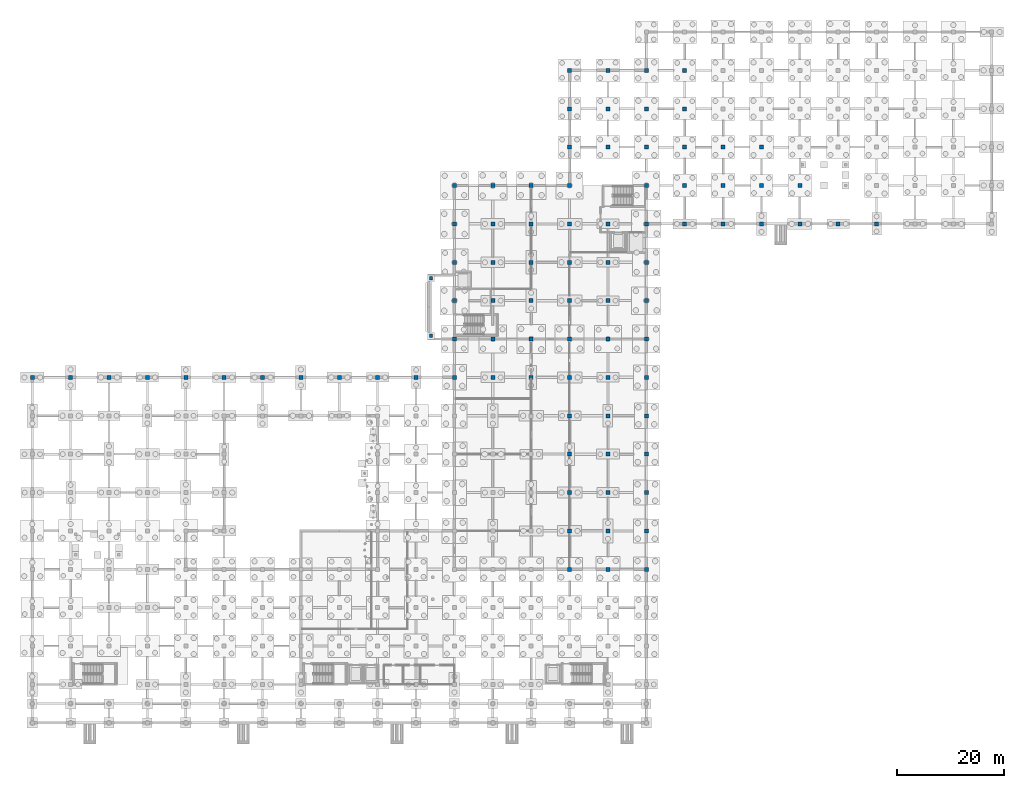
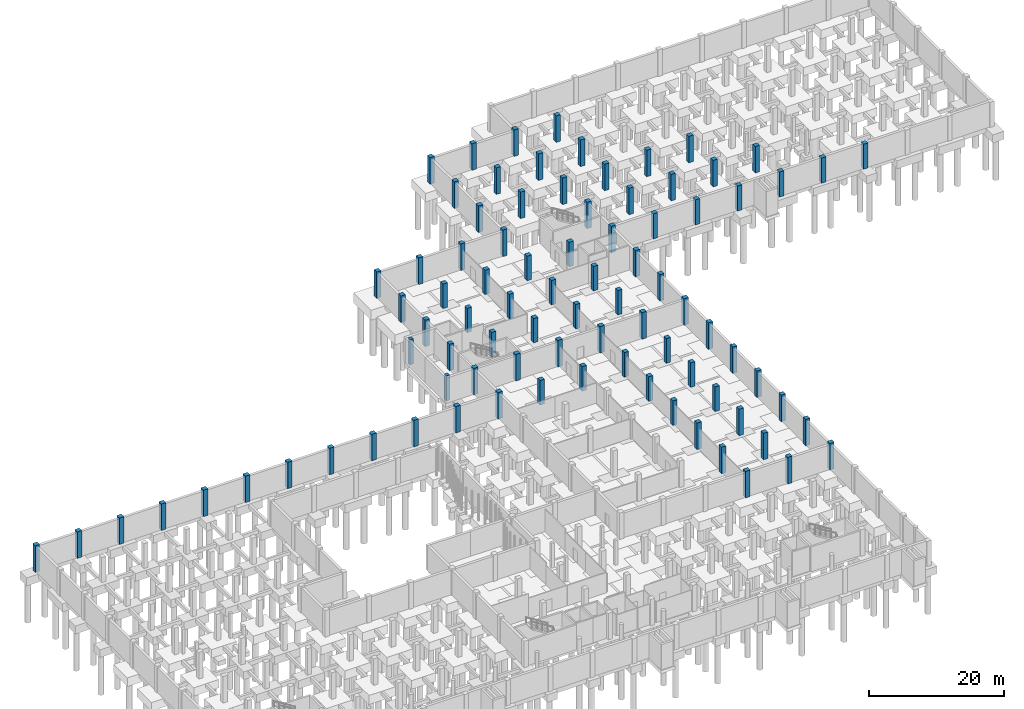
# One storey, part 21 of 35: 87 columns.
"""IFC4 building model written with IfcOpenShell, lengths in metres."""

from ifc_helpers import new_model, si_unit, direction, frame, origin, origin_2d, place, context, subcontext, project, spatial, rectangle, extrude, material, material_profile, profile_set, type_object, element, save


model = new_model("IFC4")

# Units and contexts
model_context = context("Model", 3, precision=1e-05, world=origin(), true_north=direction((0.0, 1.0)))
body_context = subcontext(model_context, "Body", "Model", "MODEL_VIEW")
ifc_project = project(units=[si_unit("LENGTHUNIT", "METRE"), si_unit("AREAUNIT", "SQUARE_METRE"), si_unit("VOLUMEUNIT", "CUBIC_METRE"), si_unit("PLANEANGLEUNIT", "RADIAN"), si_unit("MASSUNIT", "GRAM", prefix="KILO"), si_unit("THERMODYNAMICTEMPERATUREUNIT", "KELVIN"), si_unit("POWERUNIT", "WATT")], contexts=[model_context])

# Site, building, storey
site_placement = place(None, origin())
site = spatial("IfcSite", under=ifc_project, at=site_placement, CompositionType="ELEMENT")
building_placement = place(site_placement, origin())
building = spatial("IfcBuilding", under=site, at=building_placement, Name="Kaldorven Railside Theatre", CompositionType="ELEMENT")
storey_placement = place(building_placement, frame((0.0, 0.0, -4.800048828125)))
storey = spatial("IfcBuildingStorey", under=building, at=storey_placement, Name="B1", CompositionType="ELEMENT", Elevation=-4.800048828125)

# Columns
ifc_material = material(Name="Concrete C40/50", Category="concrete")
ifc_material_profile_1 = material_profile(ifc_material, rectangle(XDim=0.60009765625, YDim=0.60009765625, at=origin_2d()), Name="RC 600x600")
ifc_profile_set_1 = profile_set([ifc_material_profile_1], Name="Concrete C40/50")
column_type_1 = type_object("IfcColumnType", Name="COL-RC600", PredefinedType="COLUMN", material=ifc_profile_set_1)
for number, where, z_axis, x_axis, name in (
    (1, (82.800048828125, 84.60009765625, 0.0), (0.0, 0.0, 1.0), (1.0, 0.0, 0.0), "West Stage Apron Pedestal CWS-01"),
    (2, (82.800048828125, 95.39990234375, 0.0), (0.0, 0.0, 1.0), (1.0, 0.0, 0.0), "West Stage Apron Pedestal CWS-02"),
):
    element("IfcColumn", number, at=place(storey_placement, frame(where, z_axis=z_axis, x_axis=x_axis)), inside=storey, type_object=column_type_1, Name=name, PredefinedType="COLUMN", context=body_context, shape_type="SweptSolid", body=[
        extrude(rectangle(XDim=0.60009765625, YDim=0.60009765625, at=origin_2d()), origin(), (0.0, 0.0, 1.0), 4.550048828125),
    ])
ifc_material_profile_2 = material_profile(ifc_material, rectangle(XDim=0.75, YDim=0.75, at=origin_2d()), Name="RC 750x750")
ifc_profile_set_2 = profile_set([ifc_material_profile_2], Name="Concrete C40/50")
column_type_2 = type_object("IfcColumnType", Name="COL-RC750", PredefinedType="COLUMN", material=ifc_profile_set_2)
for number, where, z_axis, x_axis, name in (
    (3, (108.800048828125, 40.800048828125, 0.0), (0.0, 0.0, 1.0), (0.0, 1.0, 0.0), "B1 Column CG-B1-108-040"),
    (4, (116.0, 40.800048828125, 0.0), (0.0, 0.0, 1.0), (1.0, 0.0, 0.0), "B1 Column CG-B1-116-040"),
    (5, (123.199951171875, 40.800048828125, 0.0), (0.0, 0.0, 1.0), (1.0, 0.0, 0.0), "B1 Column CG-B1-123-040"),
    (6, (108.800048828125, 48.0, 0.0), (0.0, 0.0, 1.0), (1.0, 0.0, 0.0), "B1 Column CG-B1-108-048"),
    (7, (116.0, 48.0, 0.0), (0.0, 0.0, 1.0), (1.0, 0.0, 0.0), "B1 Column CG-B1-116-048"),
    (8, (123.199951171875, 48.0, 0.0), (0.0, 0.0, 1.0), (0.0, 1.0, 0.0), "B1 Column CG-B1-123-048"),
    (9, (108.800048828125, 55.199951171875, 0.0), (0.0, 0.0, 1.0), (1.0, 0.0, 0.0), "B1 Column CG-B1-108-055"),
    (10, (116.0, 55.199951171875, 0.0), (0.0, 0.0, 1.0), (0.0, 1.0, 0.0), "B1 Column CG-B1-116-055"),
    (11, (123.199951171875, 55.199951171875, 0.0), (0.0, 0.0, 1.0), (1.0, 0.0, 0.0), "B1 Column CG-B1-123-055"),
):
    element("IfcColumn", number, at=place(storey_placement, frame(where, z_axis=z_axis, x_axis=x_axis)), inside=storey, type_object=column_type_2, Name=name, PredefinedType="COLUMN", context=body_context, shape_type="SweptSolid", body=[
        extrude(rectangle(XDim=0.75, YDim=0.75, at=origin_2d()), origin(), (0.0, 0.0, 1.0), 4.800048828125),
    ])
for number, where, z_axis, x_axis, name in (
    (12, (108.800048828125, 62.39990234375, 0.0), (0.0, 0.0, 1.0), (0.0, 1.0, 0.0), "B1 Column CG-B1-108-062"),
    (13, (116.0, 62.39990234375, 0.0), (0.0, 0.0, 1.0), (1.0, 0.0, 0.0), "B1 Column CG-B1-116-062"),
):
    element("IfcColumn", number, at=place(storey_placement, frame(where, z_axis=z_axis, x_axis=x_axis)), inside=storey, type_object=column_type_2, Name=name, PredefinedType="COLUMN", context=body_context, shape_type="SweptSolid", body=[
        extrude(rectangle(XDim=0.75, YDim=0.75, at=origin_2d()), origin(), (0.0, 0.0, 1.0), 4.449951171875),
    ])
column_1_placement = place(storey_placement, frame((123.199951171875, 62.39990234375, 0.0), z_axis=(0.0, 0.0, 1.0), x_axis=(0.0, 1.0, 0.0)))
element("IfcColumn", 14, at=column_1_placement, inside=storey, type_object=column_type_2, Name="B1 Column CG-B1-123-062", PredefinedType="COLUMN", context=body_context, shape_type="SweptSolid", body=[
    extrude(rectangle(XDim=0.75, YDim=0.75, at=origin_2d()), origin(), (0.0, 0.0, 1.0), 4.800048828125),
])
for number, where, z_axis, x_axis, name in (
    (15, (108.800048828125, 69.60009765625, 0.0), (0.0, 0.0, 1.0), (1.0, 0.0, 0.0), "B1 Column CG-B1-108-069"),
    (16, (116.0, 69.60009765625, 0.0), (0.0, 0.0, 1.0), (0.0, 1.0, 0.0), "B1 Column CG-B1-116-069"),
):
    element("IfcColumn", number, at=place(storey_placement, frame(where, z_axis=z_axis, x_axis=x_axis)), inside=storey, type_object=column_type_2, Name=name, PredefinedType="COLUMN", context=body_context, shape_type="SweptSolid", body=[
        extrude(rectangle(XDim=0.75, YDim=0.75, at=origin_2d()), origin(), (0.0, 0.0, 1.0), 4.449951171875),
    ])
for number, where, z_axis, x_axis, name in (
    (17, (123.199951171875, 69.60009765625, 0.0), (0.0, 0.0, 1.0), (1.0, 0.0, 0.0), "B1 Column CG-B1-123-069"),
    (18, (8.0, 76.800048828125, 0.0), (0.0, 0.0, 1.0), (1.0, 0.0, 0.0), "B1 Column CG-B1-008-076"),
    (19, (15.199951171875, 76.800048828125, 0.0), (0.0, 0.0, 1.0), (1.0, 0.0, 0.0), "B1 Column CG-B1-015-076"),
    (20, (22.39990234375, 76.800048828125, 0.0), (0.0, 0.0, 1.0), (0.0, 1.0, 0.0), "B1 Column CG-B1-022-076"),
    (21, (29.60009765625, 76.800048828125, 0.0), (0.0, 0.0, 1.0), (1.0, 0.0, 0.0), "B1 Column CG-B1-029-076"),
    (22, (36.800048828125, 76.800048828125, 0.0), (0.0, 0.0, 1.0), (0.0, 1.0, 0.0), "B1 Column CG-B1-036-076"),
    (23, (44.0, 76.800048828125, 0.0), (0.0, 0.0, 1.0), (1.0, 0.0, 0.0), "B1 Column CG-B1-044-076"),
    (24, (51.199951171875, 76.800048828125, 0.0), (0.0, 0.0, 1.0), (1.0, 0.0, 0.0), "B1 Column CG-B1-051-076"),
    (25, (58.39990234375, 76.800048828125, 0.0), (0.0, 0.0, 1.0), (0.0, 1.0, 0.0), "B1 Column CG-B1-058-076"),
    (26, (65.60009765625, 76.800048828125, 0.0), (0.0, 0.0, 1.0), (1.0, 0.0, 0.0), "B1 Column CG-B1-065-076"),
    (27, (72.800048828125, 76.800048828125, 0.0), (0.0, 0.0, 1.0), (0.0, 1.0, 0.0), "B1 Column CG-B1-072-076"),
    (28, (80.0, 76.800048828125, 0.0), (0.0, 0.0, 1.0), (1.0, 0.0, 0.0), "B1 Column CG-B1-080-076"),
    (29, (87.199951171875, 76.800048828125, 0.0), (0.0, 0.0, 1.0), (1.0, 0.0, 0.0), "B1 Column CG-B1-087-076"),
):
    element("IfcColumn", number, at=place(storey_placement, frame(where, z_axis=z_axis, x_axis=x_axis)), inside=storey, type_object=column_type_2, Name=name, PredefinedType="COLUMN", context=body_context, shape_type="SweptSolid", body=[
        extrude(rectangle(XDim=0.75, YDim=0.75, at=origin_2d()), origin(), (0.0, 0.0, 1.0), 4.800048828125),
    ])
for number, where, z_axis, x_axis, name in (
    (30, (94.39990234375, 76.800048828125, 0.0), (0.0, 0.0, 1.0), (0.0, 1.0, 0.0), "B1 Column CG-B1-094-076"),
    (31, (101.60009765625, 76.800048828125, 0.0), (0.0, 0.0, 1.0), (1.0, 0.0, 0.0), "B1 Column CG-B1-101-076"),
    (32, (108.800048828125, 76.800048828125, 0.0), (0.0, 0.0, 1.0), (0.0, 1.0, 0.0), "B1 Column CG-B1-108-076"),
    (33, (116.0, 76.800048828125, 0.0), (0.0, 0.0, 1.0), (1.0, 0.0, 0.0), "B1 Column CG-B1-116-076"),
):
    element("IfcColumn", number, at=place(storey_placement, frame(where, z_axis=z_axis, x_axis=x_axis)), inside=storey, type_object=column_type_2, Name=name, PredefinedType="COLUMN", context=body_context, shape_type="SweptSolid", body=[
        extrude(rectangle(XDim=0.75, YDim=0.75, at=origin_2d()), origin(), (0.0, 0.0, 1.0), 4.449951171875),
    ])
for number, where, z_axis, x_axis, name in (
    (34, (123.199951171875, 76.800048828125, 0.0), (0.0, 0.0, 1.0), (1.0, 0.0, 0.0), "B1 Column CG-B1-123-076"),
    (35, (87.199951171875, 84.0, 0.0), (0.0, 0.0, 1.0), (0.0, 1.0, 0.0), "B1 Column CG-B1-087-084"),
    (36, (94.39990234375, 84.0, 0.0), (0.0, 0.0, 1.0), (1.0, 0.0, 0.0), "B1 Column CG-B1-094-084"),
    (37, (101.60009765625, 84.0, 0.0), (0.0, 0.0, 1.0), (0.0, 1.0, 0.0), "B1 Column CG-B1-101-084"),
    (38, (108.800048828125, 84.0, 0.0), (0.0, 0.0, 1.0), (1.0, 0.0, 0.0), "B1 Column CG-B1-108-084"),
    (39, (116.0, 84.0, 0.0), (0.0, 0.0, 1.0), (1.0, 0.0, 0.0), "B1 Column CG-B1-116-084"),
    (40, (123.199951171875, 84.0, 0.0), (0.0, 0.0, 1.0), (0.0, 1.0, 0.0), "B1 Column CG-B1-123-084"),
    (41, (87.199951171875, 91.199951171875, 0.0), (0.0, 0.0, 1.0), (1.0, 0.0, 0.0), "B1 Column CG-B1-087-091"),
):
    element("IfcColumn", number, at=place(storey_placement, frame(where, z_axis=z_axis, x_axis=x_axis)), inside=storey, type_object=column_type_2, Name=name, PredefinedType="COLUMN", context=body_context, shape_type="SweptSolid", body=[
        extrude(rectangle(XDim=0.75, YDim=0.75, at=origin_2d()), origin(), (0.0, 0.0, 1.0), 4.800048828125),
    ])
for number, where, z_axis, x_axis, name in (
    (42, (94.39990234375, 91.199951171875, 0.0), (0.0, 0.0, 1.0), (0.0, 1.0, 0.0), "B1 Column CG-B1-094-091"),
    (43, (101.60009765625, 91.199951171875, 0.0), (0.0, 0.0, 1.0), (1.0, 0.0, 0.0), "B1 Column CG-B1-101-091"),
    (44, (108.800048828125, 91.199951171875, 0.0), (0.0, 0.0, 1.0), (1.0, 0.0, 0.0), "B1 Column CG-B1-108-091"),
    (45, (116.0, 91.199951171875, 0.0), (0.0, 0.0, 1.0), (0.0, 1.0, 0.0), "B1 Column CG-B1-116-091"),
):
    element("IfcColumn", number, at=place(storey_placement, frame(where, z_axis=z_axis, x_axis=x_axis)), inside=storey, type_object=column_type_2, Name=name, PredefinedType="COLUMN", context=body_context, shape_type="SweptSolid", body=[
        extrude(rectangle(XDim=0.75, YDim=0.75, at=origin_2d()), origin(), (0.0, 0.0, 1.0), 4.420166015625),
    ])
for number, where, z_axis, x_axis, name in (
    (46, (123.199951171875, 91.199951171875, 0.0), (0.0, 0.0, 1.0), (1.0, 0.0, 0.0), "B1 Column CG-B1-123-091"),
    (47, (87.199951171875, 98.39990234375, 0.0), (0.0, 0.0, 1.0), (0.0, 1.0, 0.0), "B1 Column CG-B1-087-098"),
):
    element("IfcColumn", number, at=place(storey_placement, frame(where, z_axis=z_axis, x_axis=x_axis)), inside=storey, type_object=column_type_2, Name=name, PredefinedType="COLUMN", context=body_context, shape_type="SweptSolid", body=[
        extrude(rectangle(XDim=0.75, YDim=0.75, at=origin_2d()), origin(), (0.0, 0.0, 1.0), 4.800048828125),
    ])
for number, where, z_axis, x_axis, name in (
    (48, (94.39990234375, 98.39990234375, 0.0), (0.0, 0.0, 1.0), (1.0, 0.0, 0.0), "B1 Column CG-B1-094-098"),
    (49, (101.60009765625, 98.39990234375, 0.0), (0.0, 0.0, 1.0), (1.0, 0.0, 0.0), "B1 Column CG-B1-101-098"),
    (50, (108.800048828125, 98.39990234375, 0.0), (0.0, 0.0, 1.0), (0.0, 1.0, 0.0), "B1 Column CG-B1-108-098"),
    (51, (116.0, 98.39990234375, 0.0), (0.0, 0.0, 1.0), (1.0, 0.0, 0.0), "B1 Column CG-B1-116-098"),
):
    element("IfcColumn", number, at=place(storey_placement, frame(where, z_axis=z_axis, x_axis=x_axis)), inside=storey, type_object=column_type_2, Name=name, PredefinedType="COLUMN", context=body_context, shape_type="SweptSolid", body=[
        extrude(rectangle(XDim=0.75, YDim=0.75, at=origin_2d()), origin(), (0.0, 0.0, 1.0), 4.420166015625),
    ])
for number, where, z_axis, x_axis, name in (
    (52, (123.199951171875, 98.39990234375, 0.0), (0.0, 0.0, 1.0), (0.0, 1.0, 0.0), "B1 Column CG-B1-123-098"),
    (53, (87.199951171875, 105.60009765625, 0.0), (0.0, 0.0, 1.0), (1.0, 0.0, 0.0), "B1 Column CG-B1-087-105"),
):
    element("IfcColumn", number, at=place(storey_placement, frame(where, z_axis=z_axis, x_axis=x_axis)), inside=storey, type_object=column_type_2, Name=name, PredefinedType="COLUMN", context=body_context, shape_type="SweptSolid", body=[
        extrude(rectangle(XDim=0.75, YDim=0.75, at=origin_2d()), origin(), (0.0, 0.0, 1.0), 4.800048828125),
    ])
for number, where, z_axis, x_axis, name in (
    (54, (94.39990234375, 105.60009765625, 0.0), (0.0, 0.0, 1.0), (1.0, 0.0, 0.0), "B1 Column CG-B1-094-105"),
    (55, (101.60009765625, 105.60009765625, 0.0), (0.0, 0.0, 1.0), (0.0, 1.0, 0.0), "B1 Column CG-B1-101-105"),
    (56, (108.800048828125, 105.60009765625, 0.0), (0.0, 0.0, 1.0), (1.0, 0.0, 0.0), "B1 Column CG-B1-108-105"),
    (57, (116.0, 105.60009765625, 0.0), (0.0, 0.0, 1.0), (0.0, 1.0, 0.0), "B1 Column CG-B1-116-105"),
):
    element("IfcColumn", number, at=place(storey_placement, frame(where, z_axis=z_axis, x_axis=x_axis)), inside=storey, type_object=column_type_2, Name=name, PredefinedType="COLUMN", context=body_context, shape_type="SweptSolid", body=[
        extrude(rectangle(XDim=0.75, YDim=0.75, at=origin_2d()), origin(), (0.0, 0.0, 1.0), 4.420166015625),
    ])
column_2_placement = place(storey_placement, frame((123.199951171875, 105.60009765625, 0.0), z_axis=(0.0, 0.0, 1.0), x_axis=(1.0, 0.0, 0.0)))
element("IfcColumn", 58, at=column_2_placement, inside=storey, type_object=column_type_2, Name="B1 Column CG-B1-123-105", PredefinedType="COLUMN", context=body_context, shape_type="SweptSolid", body=[
    extrude(rectangle(XDim=0.75, YDim=0.75, at=origin_2d()), origin(), (0.0, 0.0, 1.0), 4.800048828125),
])
for number, where, z_axis, x_axis, name in (
    (59, (130.39990234375, 105.60009765625, 0.0), (0.0, 0.0, 1.0), (1.0, 0.0, 0.0), "B1 Column CG-B1-130-105"),
    (60, (137.60009765625, 105.60009765625, 0.0), (0.0, 0.0, 1.0), (0.0, 1.0, 0.0), "B1 Column CG-B1-137-105"),
    (61, (144.800048828125, 105.60009765625, 0.0), (0.0, 0.0, 1.0), (1.0, 0.0, 0.0), "B1 Column CG-B1-144-105"),
    (62, (152.0, 105.60009765625, 0.0), (0.0, 0.0, 1.0), (0.0, 1.0, 0.0), "B1 Column CG-B1-152-105"),
    (63, (159.199951171875, 105.60009765625, 0.0), (0.0, 0.0, 1.0), (1.0, 0.0, 0.0), "B1 Column CG-B1-159-105"),
    (64, (166.39990234375, 105.60009765625, 0.0), (0.0, 0.0, 1.0), (1.0, 0.0, 0.0), "B1 Column CG-B1-166-105"),
):
    element("IfcColumn", number, at=place(storey_placement, frame(where, z_axis=z_axis, x_axis=x_axis)), inside=storey, type_object=column_type_2, Name=name, PredefinedType="COLUMN", context=body_context, shape_type="SweptSolid", body=[
        extrude(rectangle(XDim=0.75, YDim=0.75, at=origin_2d()), origin(), (0.0, 0.0, 1.0), 4.550048828125),
    ])
for number, where, z_axis, x_axis, name in (
    (65, (87.199951171875, 112.800048828125, 0.0), (0.0, 0.0, 1.0), (1.0, 0.0, 0.0), "B1 Column CG-B1-087-112"),
    (66, (94.39990234375, 112.800048828125, 0.0), (0.0, 0.0, 1.0), (0.0, 1.0, 0.0), "B1 Column CG-B1-094-112"),
    (67, (101.60009765625, 112.800048828125, 0.0), (0.0, 0.0, 1.0), (1.0, 0.0, 0.0), "B1 Column CG-B1-101-112"),
    (68, (108.800048828125, 112.800048828125, 0.0), (0.0, 0.0, 1.0), (0.0, 1.0, 0.0), "B1 Column CG-B1-108-112"),
    (69, (123.199951171875, 112.800048828125, 0.0), (0.0, 0.0, 1.0), (1.0, 0.0, 0.0), "B1 Column CG-B1-123-112"),
    (70, (130.39990234375, 112.800048828125, 0.0), (0.0, 0.0, 1.0), (0.0, 1.0, 0.0), "B1 Column CG-B1-130-112"),
    (71, (137.60009765625, 112.800048828125, 0.0), (0.0, 0.0, 1.0), (1.0, 0.0, 0.0), "B1 Column CG-B1-137-112"),
    (72, (144.800048828125, 112.800048828125, 0.0), (0.0, 0.0, 1.0), (0.0, 1.0, 0.0), "B1 Column CG-B1-144-112"),
    (73, (152.0, 112.800048828125, 0.0), (0.0, 0.0, 1.0), (1.0, 0.0, 0.0), "B1 Column CG-B1-152-112"),
    (74, (108.800048828125, 120.0, 0.0), (0.0, 0.0, 1.0), (1.0, 0.0, 0.0), "B1 Column CG-B1-108-120"),
    (75, (116.0, 120.0, 0.0), (0.0, 0.0, 1.0), (1.0, 0.0, 0.0), "B1 Column CG-B1-116-120"),
    (76, (123.199951171875, 120.0, 0.0), (0.0, 0.0, 1.0), (0.0, 1.0, 0.0), "B1 Column CG-B1-123-120"),
    (77, (130.39990234375, 120.0, 0.0), (0.0, 0.0, 1.0), (1.0, 0.0, 0.0), "B1 Column CG-B1-130-120"),
    (78, (137.60009765625, 120.0, 0.0), (0.0, 0.0, 1.0), (0.0, 1.0, 0.0), "B1 Column CG-B1-137-120"),
    (79, (144.800048828125, 120.0, 0.0), (0.0, 0.0, 1.0), (1.0, 0.0, 0.0), "B1 Column CG-B1-144-120"),
    (80, (108.800048828125, 127.199951171875, 0.0), (0.0, 0.0, 1.0), (1.0, 0.0, 0.0), "B1 Column CG-B1-108-127"),
    (81, (116.0, 127.199951171875, 0.0), (0.0, 0.0, 1.0), (0.0, 1.0, 0.0), "B1 Column CG-B1-116-127"),
    (82, (123.199951171875, 127.199951171875, 0.0), (0.0, 0.0, 1.0), (1.0, 0.0, 0.0), "B1 Column CG-B1-123-127"),
    (83, (130.39990234375, 127.199951171875, 0.0), (0.0, 0.0, 1.0), (0.0, 1.0, 0.0), "B1 Column CG-B1-130-127"),
    (84, (108.800048828125, 134.39990234375, 0.0), (0.0, 0.0, 1.0), (0.0, 1.0, 0.0), "B1 Column CG-B1-108-134"),
    (85, (116.0, 134.39990234375, 0.0), (0.0, 0.0, 1.0), (1.0, 0.0, 0.0), "B1 Column CG-B1-116-134"),
    (86, (123.199951171875, 134.39990234375, 0.0), (0.0, 0.0, 1.0), (0.0, 1.0, 0.0), "B1 Column CG-B1-123-134"),
    (87, (130.39990234375, 134.39990234375, 0.0), (0.0, 0.0, 1.0), (1.0, 0.0, 0.0), "B1 Column CG-B1-130-134"),
):
    element("IfcColumn", number, at=place(storey_placement, frame(where, z_axis=z_axis, x_axis=x_axis)), inside=storey, type_object=column_type_2, Name=name, PredefinedType="COLUMN", context=body_context, shape_type="SweptSolid", body=[
        extrude(rectangle(XDim=0.75, YDim=0.75, at=origin_2d()), origin(), (0.0, 0.0, 1.0), 4.800048828125),
    ])

save(model, "model.ifc")
